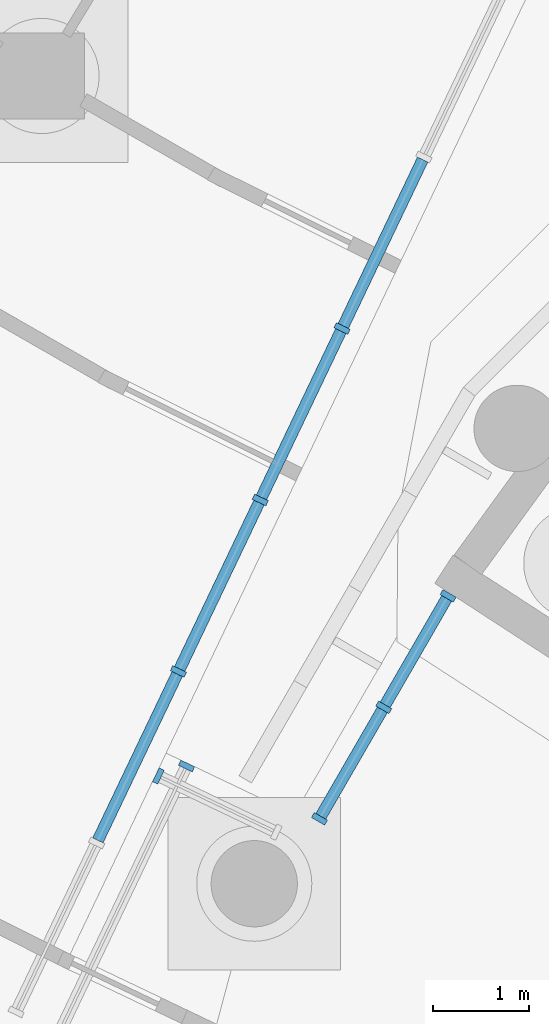
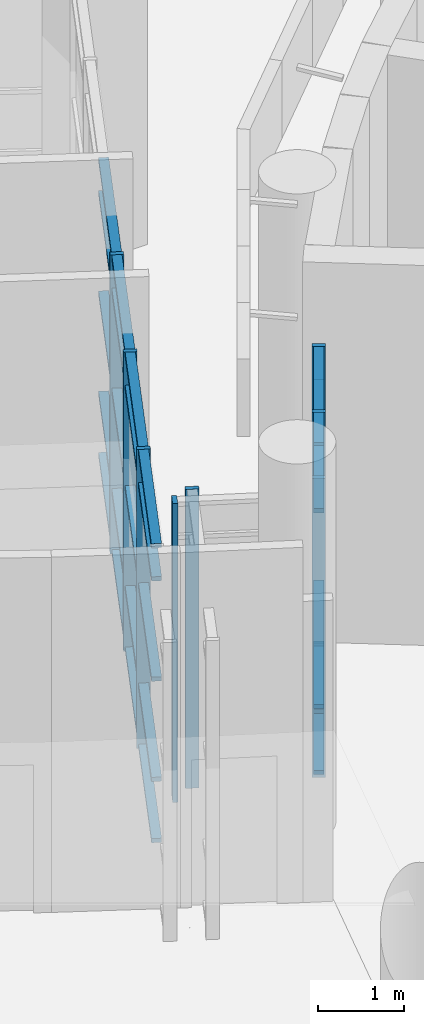
# One storey, part 21 of 146: 36 members, 4 elements without a shape of their own.
"""IFC4 building model written with IfcOpenShell, lengths in metres."""

from ifc_helpers import new_model, si_unit, direction, frame, origin, origin_2d, place, context, subcontext, project, spatial, rectangle, extrude, material, material_profile, profile_set, type_object, element, aggregate, save


model = new_model("IFC4")

# Units and contexts
model_context = context("Model", 3, precision=1e-05, world=origin(), true_north=direction((0.0, 1.0)))
body_context = subcontext(model_context, "Body", "Model", "MODEL_VIEW")
ifc_project = project(units=[si_unit("LENGTHUNIT", "METRE"), si_unit("AREAUNIT", "SQUARE_METRE"), si_unit("VOLUMEUNIT", "CUBIC_METRE"), si_unit("PLANEANGLEUNIT", "RADIAN"), si_unit("MASSUNIT", "GRAM", prefix="KILO")], contexts=[model_context])

# Site, building, storey
site_placement = place(None, origin())
site = spatial("IfcSite", under=ifc_project, at=site_placement, CompositionType="ELEMENT")
building_placement = place(site_placement, origin())
building = spatial("IfcBuilding", under=site, at=building_placement, Name="Bougainvillea Quay General Hospital", CompositionType="ELEMENT")
storey_placement = place(building_placement, origin())
storey = spatial("IfcBuildingStorey", under=building, at=storey_placement, Name="L00", CompositionType="ELEMENT", Elevation=0.0)

# Curtain wall, member
ifc_material_1 = material(Name="Aluminium curtain wall system, powder-coated glazed", Category="aluminium")
curtain_wall_type_1 = type_object("IfcCurtainWallType", Name="Unitised curtain wall CW-1422", PredefinedType="NOTDEFINED", material=ifc_material_1)
curtain_wall_1_placement = place(storey_placement, origin())
curtain_wall_1 = element("IfcCurtainWall", 1, at=curtain_wall_1_placement, inside=storey, type_object=curtain_wall_type_1, Name="CW-AE 00", PredefinedType="NOTDEFINED")
ifc_material_2 = material(Name="Aluminium mullion, powder-coated charcoal", Category="aluminium")
ifc_material_profile_1 = material_profile(ifc_material_2, rectangle(XDim=0.159912109375, YDim=0.06005859375, at=origin_2d()))
ifc_profile_set_1 = profile_set([ifc_material_profile_1], Name="Aluminium mullion, powder-coated charcoal")
member_type_1 = type_object("IfcMemberType", Name="Curtain wall mullion 160x60", PredefinedType="MULLION", material=ifc_profile_set_1)
member_1_placement = place(storey_placement, frame((88.799560546875, 83.159423828125, 0.0), z_axis=(0.0, 0.0, 1.0), x_axis=(-0.430534245195, -0.902574242771, 0.0)))
member_1 = element("IfcMember", 2, at=member_1_placement, type_object=member_type_1, Name="CW-AE mullion 2", PredefinedType="MULLION", context=body_context, shape_type="SweptSolid", body=[
    extrude(rectangle(XDim=0.159912109375, YDim=0.06005859375, at=origin_2d()), origin(), (0.0, 0.0, 1.0), 4.25),
])
aggregate(curtain_wall_1, [member_1])

curtain_wall_type_2 = type_object("IfcCurtainWallType", Name="Unitised curtain wall CW-3140", PredefinedType="NOTDEFINED", material=ifc_material_1)
curtain_wall_2_placement = place(storey_placement, origin())
curtain_wall_2 = element("IfcCurtainWall", 3, at=curtain_wall_2_placement, inside=storey, type_object=curtain_wall_type_2, Name="CW-AE 00", PredefinedType="NOTDEFINED")
member_2_placement = place(storey_placement, frame((89.0927734375, 83.26318359375, 0.0), z_axis=(0.0, 0.0, 1.0), x_axis=(0.902495109384, -0.430700101624, 0.0)))
member_2 = element("IfcMember", 4, at=member_2_placement, type_object=member_type_1, Name="CW-AE mullion 1", PredefinedType="MULLION", context=body_context, shape_type="SweptSolid", body=[
    extrude(rectangle(XDim=0.159912109375, YDim=0.06005859375, at=origin_2d()), origin(), (0.0, 0.0, 1.0), 4.25),
])
aggregate(curtain_wall_2, [member_2])

# Curtain wall, members
curtain_wall_type_3 = type_object("IfcCurtainWallType", Name="Unitised curtain wall CW-1982", PredefinedType="NOTDEFINED", material=ifc_material_1)
curtain_wall_3_placement = place(storey_placement, origin())
curtain_wall_3 = element("IfcCurtainWall", 5, at=curtain_wall_3_placement, inside=storey, type_object=curtain_wall_type_3, Name="CW-AE 00", PredefinedType="NOTDEFINED")
member_3_placement = place(storey_placement, frame((89.008544921875, 84.249267578125, 0.0), z_axis=(0.0, 0.0, 1.0), x_axis=(-0.902560506484, 0.430563040838, 0.0)))
member_3 = element("IfcMember", 6, at=member_3_placement, type_object=member_type_1, Name="CW-AE mullion 3", PredefinedType="MULLION", context=body_context, shape_type="SweptSolid", body=[
    extrude(rectangle(XDim=0.159912109375, YDim=0.06005859375, at=origin_2d()), origin(), (0.0, 0.0, 1.0), 4.25),
])
member_4_placement = place(storey_placement, frame((89.861572265625, 86.037353515625, 0.0), z_axis=(0.0, 0.0, 1.0), x_axis=(-0.902560506484, 0.430563040838, 0.0)))
member_4 = element("IfcMember", 7, at=member_4_placement, type_object=member_type_1, Name="CW-AE mullion 4", PredefinedType="MULLION", context=body_context, shape_type="SweptSolid", body=[
    extrude(rectangle(XDim=0.159912109375, YDim=0.06005859375, at=origin_2d()), origin(), (0.0, 0.0, 1.0), 4.25),
])
member_5_placement = place(storey_placement, frame((90.714599609375, 87.82568359375, 0.0), z_axis=(0.0, 0.0, 1.0), x_axis=(-0.902560506484, 0.430563040838, 0.0)))
member_5 = element("IfcMember", 8, at=member_5_placement, type_object=member_type_1, Name="CW-AE mullion 5", PredefinedType="MULLION", context=body_context, shape_type="SweptSolid", body=[
    extrude(rectangle(XDim=0.159912109375, YDim=0.06005859375, at=origin_2d()), origin(), (0.0, 0.0, 1.0), 4.25),
])

curtain_wall_type_4 = type_object("IfcCurtainWallType", Name="Unitised curtain wall CW-1372", PredefinedType="NOTDEFINED", material=ifc_material_1)
curtain_wall_4_placement = place(storey_placement, origin())
curtain_wall_4 = element("IfcCurtainWall", 9, at=curtain_wall_4_placement, inside=storey, type_object=curtain_wall_type_4, Name="CW-D 00", PredefinedType="NOTDEFINED")
member_6_placement = place(storey_placement, frame((91.8203125, 85.037353515625, 0.0), z_axis=(0.0, 0.0, 1.0), x_axis=(0.866047615473, -0.499961526253, 0.0)))
member_6 = element("IfcMember", 10, at=member_6_placement, type_object=member_type_1, Name="CW-D mullion 1", PredefinedType="MULLION", context=body_context, shape_type="SweptSolid", body=[
    extrude(rectangle(XDim=0.159912109375, YDim=0.06005859375, at=origin_2d()), origin(), (0.0, 0.0, 1.0), 4.25),
])
member_7_placement = place(storey_placement, frame((91.1494140625, 83.875244140625, 0.0), z_axis=(0.0, 0.0, 1.0), x_axis=(0.866047615473, -0.499961526253, 0.0)))
member_7 = element("IfcMember", 11, at=member_7_placement, type_object=member_type_1, Name="CW-D mullion 2", PredefinedType="MULLION", context=body_context, shape_type="SweptSolid", body=[
    extrude(rectangle(XDim=0.159912109375, YDim=0.06005859375, at=origin_2d()), origin(), (0.0, 0.0, 1.0), 4.25),
])
member_8_placement = place(storey_placement, frame((90.478515625, 82.712890625, 0.0), z_axis=(0.0, 0.0, 1.0), x_axis=(0.866047615473, -0.499961526253, 0.0)))
member_8 = element("IfcMember", 12, at=member_8_placement, type_object=member_type_1, Name="CW-D mullion 3", PredefinedType="MULLION", context=body_context, shape_type="SweptSolid", body=[
    extrude(rectangle(XDim=0.159912109375, YDim=0.06005859375, at=origin_2d()), origin(), (0.0, 0.0, 1.0), 4.25),
])

# Member
ifc_material_3 = material(Name="Aluminium transom, powder-coated charcoal", Category="aluminium")
ifc_material_profile_2 = material_profile(ifc_material_3, rectangle(XDim=0.1201171875, YDim=0.06005859375, at=origin_2d()))
ifc_profile_set_2 = profile_set([ifc_material_profile_2], Name="Aluminium transom, powder-coated charcoal")
member_type_2 = type_object("IfcMemberType", Name="Curtain wall transom 120x60", PredefinedType="USERDEFINED", material=ifc_profile_set_2)
member_9_placement = place(storey_placement, frame((88.16845703125, 82.488037109375, 0.030029296875), z_axis=(0.430515526529, 0.902583171468, 0.0), x_axis=(-0.902583171468, 0.430515526529, 0.0)))
member_9 = element("IfcMember", 13, at=member_9_placement, type_object=member_type_2, Name="CW-AE transom 2.1", ObjectType="TRANSOM", PredefinedType="USERDEFINED", context=body_context, shape_type="SweptSolid", body=[
    extrude(rectangle(XDim=0.1201171875, YDim=0.06005859375, at=origin_2d()), origin(), (0.0, 0.0, 1.0), 1.92138671875),
])

member_10_placement = place(storey_placement, frame((88.16845703125, 82.488037109375, 0.89990234375), z_axis=(0.430515526529, 0.902583171468, 0.0), x_axis=(-0.902583171468, 0.430515526529, 0.0)))
member_10 = element("IfcMember", 14, at=member_10_placement, type_object=member_type_2, Name="CW-AE transom 2.2", ObjectType="TRANSOM", PredefinedType="USERDEFINED", context=body_context, shape_type="SweptSolid", body=[
    extrude(rectangle(XDim=0.1201171875, YDim=0.06005859375, at=origin_2d()), origin(), (0.0, 0.0, 1.0), 1.92138671875),
])

member_11_placement = place(storey_placement, frame((88.16845703125, 82.488037109375, 2.324951171875), z_axis=(0.430515526529, 0.902583171468, 0.0), x_axis=(-0.902583171468, 0.430515526529, 0.0)))
member_11 = element("IfcMember", 15, at=member_11_placement, type_object=member_type_2, Name="CW-AE transom 2.3", ObjectType="TRANSOM", PredefinedType="USERDEFINED", context=body_context, shape_type="SweptSolid", body=[
    extrude(rectangle(XDim=0.1201171875, YDim=0.06005859375, at=origin_2d()), origin(), (0.0, 0.0, 1.0), 1.92138671875),
])

member_12_placement = place(storey_placement, frame((88.16845703125, 82.488037109375, 3.75), z_axis=(0.430515526529, 0.902583171468, 0.0), x_axis=(-0.902583171468, 0.430515526529, 0.0)))
member_12 = element("IfcMember", 16, at=member_12_placement, type_object=member_type_2, Name="CW-AE transom 2.4", ObjectType="TRANSOM", PredefinedType="USERDEFINED", context=body_context, shape_type="SweptSolid", body=[
    extrude(rectangle(XDim=0.1201171875, YDim=0.06005859375, at=origin_2d()), origin(), (0.0, 0.0, 1.0), 1.92138671875),
])

member_13_placement = place(storey_placement, frame((88.16845703125, 82.488037109375, 4.219970703125), z_axis=(0.430515526529, 0.902583171468, 0.0), x_axis=(-0.902583171468, 0.430515526529, 0.0)))
member_13 = element("IfcMember", 17, at=member_13_placement, type_object=member_type_2, Name="CW-AE transom 2.5", ObjectType="TRANSOM", PredefinedType="USERDEFINED", context=body_context, shape_type="SweptSolid", body=[
    extrude(rectangle(XDim=0.1201171875, YDim=0.06005859375, at=origin_2d()), origin(), (0.0, 0.0, 1.0), 1.92138671875),
])

member_14_placement = place(storey_placement, frame((89.021484375, 84.276123046875, 0.030029296875), z_axis=(0.430515526529, 0.902583171468, 0.0), x_axis=(-0.902583171468, 0.430515526529, 0.0)))
member_14 = element("IfcMember", 18, at=member_14_placement, type_object=member_type_2, Name="CW-AE transom 3.1", ObjectType="TRANSOM", PredefinedType="USERDEFINED", context=body_context, shape_type="SweptSolid", body=[
    extrude(rectangle(XDim=0.1201171875, YDim=0.06005859375, at=origin_2d()), origin(), (0.0, 0.0, 1.0), 1.92138671875),
])

member_15_placement = place(storey_placement, frame((89.021484375, 84.276123046875, 0.89990234375), z_axis=(0.430515526529, 0.902583171468, 0.0), x_axis=(-0.902583171468, 0.430515526529, 0.0)))
member_15 = element("IfcMember", 19, at=member_15_placement, type_object=member_type_2, Name="CW-AE transom 3.2", ObjectType="TRANSOM", PredefinedType="USERDEFINED", context=body_context, shape_type="SweptSolid", body=[
    extrude(rectangle(XDim=0.1201171875, YDim=0.06005859375, at=origin_2d()), origin(), (0.0, 0.0, 1.0), 1.92138671875),
])

member_16_placement = place(storey_placement, frame((89.021484375, 84.276123046875, 2.324951171875), z_axis=(0.430515526529, 0.902583171468, 0.0), x_axis=(-0.902583171468, 0.430515526529, 0.0)))
member_16 = element("IfcMember", 20, at=member_16_placement, type_object=member_type_2, Name="CW-AE transom 3.3", ObjectType="TRANSOM", PredefinedType="USERDEFINED", context=body_context, shape_type="SweptSolid", body=[
    extrude(rectangle(XDim=0.1201171875, YDim=0.06005859375, at=origin_2d()), origin(), (0.0, 0.0, 1.0), 1.92138671875),
])

member_17_placement = place(storey_placement, frame((89.021484375, 84.276123046875, 3.75), z_axis=(0.430515526529, 0.902583171468, 0.0), x_axis=(-0.902583171468, 0.430515526529, 0.0)))
member_17 = element("IfcMember", 21, at=member_17_placement, type_object=member_type_2, Name="CW-AE transom 3.4", ObjectType="TRANSOM", PredefinedType="USERDEFINED", context=body_context, shape_type="SweptSolid", body=[
    extrude(rectangle(XDim=0.1201171875, YDim=0.06005859375, at=origin_2d()), origin(), (0.0, 0.0, 1.0), 1.92138671875),
])

member_18_placement = place(storey_placement, frame((89.021484375, 84.276123046875, 4.219970703125), z_axis=(0.430515526529, 0.902583171468, 0.0), x_axis=(-0.902583171468, 0.430515526529, 0.0)))
member_18 = element("IfcMember", 22, at=member_18_placement, type_object=member_type_2, Name="CW-AE transom 3.5", ObjectType="TRANSOM", PredefinedType="USERDEFINED", context=body_context, shape_type="SweptSolid", body=[
    extrude(rectangle(XDim=0.1201171875, YDim=0.06005859375, at=origin_2d()), origin(), (0.0, 0.0, 1.0), 1.92138671875),
])

member_19_placement = place(storey_placement, frame((89.87451171875, 86.064453125, 0.030029296875), z_axis=(0.430515526529, 0.902583171468, 0.0), x_axis=(-0.902583171468, 0.430515526529, 0.0)))
member_19 = element("IfcMember", 23, at=member_19_placement, type_object=member_type_2, Name="CW-AE transom 4.1", ObjectType="TRANSOM", PredefinedType="USERDEFINED", context=body_context, shape_type="SweptSolid", body=[
    extrude(rectangle(XDim=0.1201171875, YDim=0.06005859375, at=origin_2d()), origin(), (0.0, 0.0, 1.0), 1.92138671875),
])

member_20_placement = place(storey_placement, frame((89.87451171875, 86.064453125, 0.89990234375), z_axis=(0.430515526529, 0.902583171468, 0.0), x_axis=(-0.902583171468, 0.430515526529, 0.0)))
member_20 = element("IfcMember", 24, at=member_20_placement, type_object=member_type_2, Name="CW-AE transom 4.2", ObjectType="TRANSOM", PredefinedType="USERDEFINED", context=body_context, shape_type="SweptSolid", body=[
    extrude(rectangle(XDim=0.1201171875, YDim=0.06005859375, at=origin_2d()), origin(), (0.0, 0.0, 1.0), 1.92138671875),
])

member_21_placement = place(storey_placement, frame((89.87451171875, 86.064453125, 2.324951171875), z_axis=(0.430515526529, 0.902583171468, 0.0), x_axis=(-0.902583171468, 0.430515526529, 0.0)))
member_21 = element("IfcMember", 25, at=member_21_placement, type_object=member_type_2, Name="CW-AE transom 4.3", ObjectType="TRANSOM", PredefinedType="USERDEFINED", context=body_context, shape_type="SweptSolid", body=[
    extrude(rectangle(XDim=0.1201171875, YDim=0.06005859375, at=origin_2d()), origin(), (0.0, 0.0, 1.0), 1.92138671875),
])

member_22_placement = place(storey_placement, frame((89.87451171875, 86.064453125, 3.75), z_axis=(0.430515526529, 0.902583171468, 0.0), x_axis=(-0.902583171468, 0.430515526529, 0.0)))
member_22 = element("IfcMember", 26, at=member_22_placement, type_object=member_type_2, Name="CW-AE transom 4.4", ObjectType="TRANSOM", PredefinedType="USERDEFINED", context=body_context, shape_type="SweptSolid", body=[
    extrude(rectangle(XDim=0.1201171875, YDim=0.06005859375, at=origin_2d()), origin(), (0.0, 0.0, 1.0), 1.92138671875),
])

member_23_placement = place(storey_placement, frame((89.87451171875, 86.064453125, 4.219970703125), z_axis=(0.430515526529, 0.902583171468, 0.0), x_axis=(-0.902583171468, 0.430515526529, 0.0)))
member_23 = element("IfcMember", 27, at=member_23_placement, type_object=member_type_2, Name="CW-AE transom 4.5", ObjectType="TRANSOM", PredefinedType="USERDEFINED", context=body_context, shape_type="SweptSolid", body=[
    extrude(rectangle(XDim=0.1201171875, YDim=0.06005859375, at=origin_2d()), origin(), (0.0, 0.0, 1.0), 1.92138671875),
])

member_24_placement = place(storey_placement, frame((90.7275390625, 87.852783203125, 0.030029296875), z_axis=(0.43061903699, 0.902533791601, 0.0), x_axis=(-0.902533791601, 0.43061903699, 0.0)))
member_24 = element("IfcMember", 28, at=member_24_placement, type_object=member_type_2, Name="CW-AE transom 5.1", ObjectType="TRANSOM", PredefinedType="USERDEFINED", context=body_context, shape_type="SweptSolid", body=[
    extrude(rectangle(XDim=0.1201171875, YDim=0.06005859375, at=origin_2d()), origin(), (0.0, 0.0, 1.0), 1.92138671875),
])

member_25_placement = place(storey_placement, frame((90.7275390625, 87.852783203125, 0.89990234375), z_axis=(0.43061903699, 0.902533791601, 0.0), x_axis=(-0.902533791601, 0.43061903699, 0.0)))
member_25 = element("IfcMember", 29, at=member_25_placement, type_object=member_type_2, Name="CW-AE transom 5.2", ObjectType="TRANSOM", PredefinedType="USERDEFINED", context=body_context, shape_type="SweptSolid", body=[
    extrude(rectangle(XDim=0.1201171875, YDim=0.06005859375, at=origin_2d()), origin(), (0.0, 0.0, 1.0), 1.92138671875),
])

member_26_placement = place(storey_placement, frame((90.7275390625, 87.852783203125, 2.324951171875), z_axis=(0.43061903699, 0.902533791601, 0.0), x_axis=(-0.902533791601, 0.43061903699, 0.0)))
member_26 = element("IfcMember", 30, at=member_26_placement, type_object=member_type_2, Name="CW-AE transom 5.3", ObjectType="TRANSOM", PredefinedType="USERDEFINED", context=body_context, shape_type="SweptSolid", body=[
    extrude(rectangle(XDim=0.1201171875, YDim=0.06005859375, at=origin_2d()), origin(), (0.0, 0.0, 1.0), 1.92138671875),
])

member_27_placement = place(storey_placement, frame((90.7275390625, 87.852783203125, 3.75), z_axis=(0.43061903699, 0.902533791601, 0.0), x_axis=(-0.902533791601, 0.43061903699, 0.0)))
member_27 = element("IfcMember", 31, at=member_27_placement, type_object=member_type_2, Name="CW-AE transom 5.4", ObjectType="TRANSOM", PredefinedType="USERDEFINED", context=body_context, shape_type="SweptSolid", body=[
    extrude(rectangle(XDim=0.1201171875, YDim=0.06005859375, at=origin_2d()), origin(), (0.0, 0.0, 1.0), 1.92138671875),
])

member_28_placement = place(storey_placement, frame((90.7275390625, 87.852783203125, 4.219970703125), z_axis=(0.43061903699, 0.902533791601, 0.0), x_axis=(-0.902533791601, 0.43061903699, 0.0)))
member_28 = element("IfcMember", 32, at=member_28_placement, type_object=member_type_2, Name="CW-AE transom 5.5", ObjectType="TRANSOM", PredefinedType="USERDEFINED", context=body_context, shape_type="SweptSolid", body=[
    extrude(rectangle(XDim=0.1201171875, YDim=0.06005859375, at=origin_2d()), origin(), (0.0, 0.0, 1.0), 1.92138671875),
])

aggregate(curtain_wall_3, [member_3, member_4, member_5, member_9, member_10, member_11, member_12, member_13, member_14, member_15, member_16, member_17, member_18, member_19, member_20, member_21, member_22, member_23, member_24, member_25, member_26, member_27, member_28])

member_29_placement = place(storey_placement, frame((91.805419921875, 85.01123046875, 0.030029296875), z_axis=(-0.500112596238, -0.865960386556, 0.0), x_axis=(0.865960386556, -0.500112596238, 0.0)))
member_29 = element("IfcMember", 33, at=member_29_placement, type_object=member_type_2, Name="CW-D transom 1.1", ObjectType="TRANSOM", PredefinedType="USERDEFINED", context=body_context, shape_type="SweptSolid", body=[
    extrude(rectangle(XDim=0.1201171875, YDim=0.06005859375, at=origin_2d()), origin(), (0.0, 0.0, 1.0), 1.281982421875),
])

member_30_placement = place(storey_placement, frame((91.805419921875, 85.01123046875, 0.89990234375), z_axis=(-0.500112596238, -0.865960386556, 0.0), x_axis=(0.865960386556, -0.500112596238, 0.0)))
member_30 = element("IfcMember", 34, at=member_30_placement, type_object=member_type_2, Name="CW-D transom 1.2", ObjectType="TRANSOM", PredefinedType="USERDEFINED", context=body_context, shape_type="SweptSolid", body=[
    extrude(rectangle(XDim=0.1201171875, YDim=0.06005859375, at=origin_2d()), origin(), (0.0, 0.0, 1.0), 1.281982421875),
])

member_31_placement = place(storey_placement, frame((91.805419921875, 85.01123046875, 3.75), z_axis=(-0.500112596238, -0.865960386556, 0.0), x_axis=(0.865960386556, -0.500112596238, 0.0)))
member_31 = element("IfcMember", 35, at=member_31_placement, type_object=member_type_2, Name="CW-D transom 1.3", ObjectType="TRANSOM", PredefinedType="USERDEFINED", context=body_context, shape_type="SweptSolid", body=[
    extrude(rectangle(XDim=0.1201171875, YDim=0.06005859375, at=origin_2d()), origin(), (0.0, 0.0, 1.0), 1.281982421875),
])

member_32_placement = place(storey_placement, frame((91.805419921875, 85.01123046875, 4.219970703125), z_axis=(-0.500112596238, -0.865960386556, 0.0), x_axis=(0.865960386556, -0.500112596238, 0.0)))
member_32 = element("IfcMember", 36, at=member_32_placement, type_object=member_type_2, Name="CW-D transom 1.4", ObjectType="TRANSOM", PredefinedType="USERDEFINED", context=body_context, shape_type="SweptSolid", body=[
    extrude(rectangle(XDim=0.1201171875, YDim=0.06005859375, at=origin_2d()), origin(), (0.0, 0.0, 1.0), 1.281982421875),
])

member_33_placement = place(storey_placement, frame((91.134521484375, 83.84912109375, 0.030029296875), z_axis=(-0.500112596238, -0.865960386556, 0.0), x_axis=(0.865960386556, -0.500112596238, 0.0)))
member_33 = element("IfcMember", 37, at=member_33_placement, type_object=member_type_2, Name="CW-D transom 2.1", ObjectType="TRANSOM", PredefinedType="USERDEFINED", context=body_context, shape_type="SweptSolid", body=[
    extrude(rectangle(XDim=0.1201171875, YDim=0.06005859375, at=origin_2d()), origin(), (0.0, 0.0, 1.0), 1.281982421875),
])

member_34_placement = place(storey_placement, frame((91.134521484375, 83.84912109375, 0.89990234375), z_axis=(-0.500112596238, -0.865960386556, 0.0), x_axis=(0.865960386556, -0.500112596238, 0.0)))
member_34 = element("IfcMember", 38, at=member_34_placement, type_object=member_type_2, Name="CW-D transom 2.2", ObjectType="TRANSOM", PredefinedType="USERDEFINED", context=body_context, shape_type="SweptSolid", body=[
    extrude(rectangle(XDim=0.1201171875, YDim=0.06005859375, at=origin_2d()), origin(), (0.0, 0.0, 1.0), 1.281982421875),
])

member_35_placement = place(storey_placement, frame((91.134521484375, 83.84912109375, 3.75), z_axis=(-0.500112596238, -0.865960386556, 0.0), x_axis=(0.865960386556, -0.500112596238, 0.0)))
member_35 = element("IfcMember", 39, at=member_35_placement, type_object=member_type_2, Name="CW-D transom 2.3", ObjectType="TRANSOM", PredefinedType="USERDEFINED", context=body_context, shape_type="SweptSolid", body=[
    extrude(rectangle(XDim=0.1201171875, YDim=0.06005859375, at=origin_2d()), origin(), (0.0, 0.0, 1.0), 1.281982421875),
])

member_36_placement = place(storey_placement, frame((91.134521484375, 83.84912109375, 4.219970703125), z_axis=(-0.500112596238, -0.865960386556, 0.0), x_axis=(0.865960386556, -0.500112596238, 0.0)))
member_36 = element("IfcMember", 40, at=member_36_placement, type_object=member_type_2, Name="CW-D transom 2.4", ObjectType="TRANSOM", PredefinedType="USERDEFINED", context=body_context, shape_type="SweptSolid", body=[
    extrude(rectangle(XDim=0.1201171875, YDim=0.06005859375, at=origin_2d()), origin(), (0.0, 0.0, 1.0), 1.281982421875),
])

aggregate(curtain_wall_4, [member_6, member_7, member_8, member_29, member_30, member_31, member_32, member_33, member_34, member_35, member_36])

save(model, "model.ifc")
